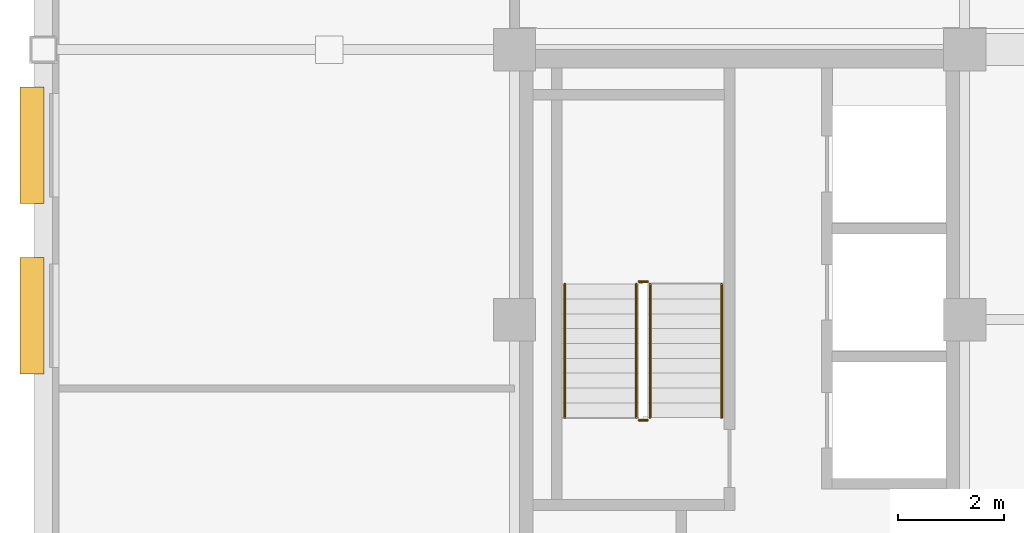
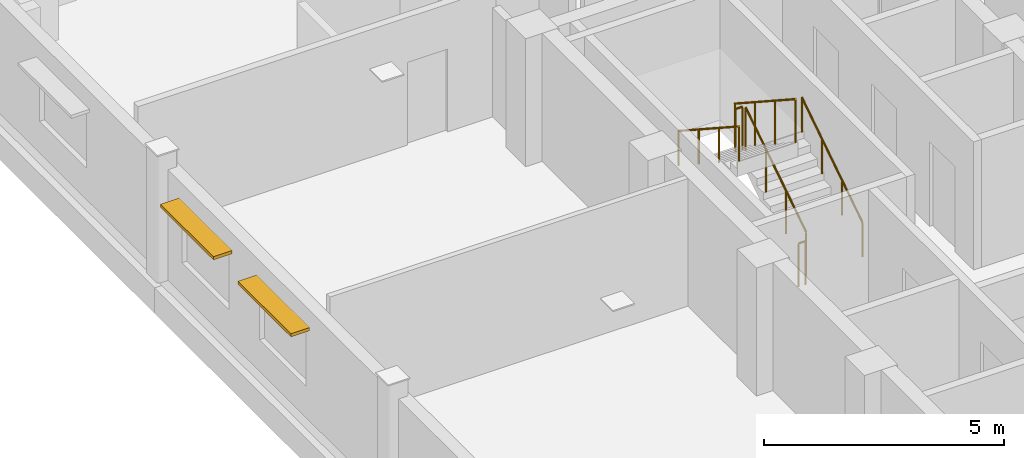
# One storey, part 11 of 14: 6 railings, 2 shading devices.
"""IFC4 building model written with IfcOpenShell, lengths in metres."""

from ifc_helpers import new_model, si_unit, direction, frame, origin, origin_2d, place, context, subcontext, project, spatial, rectangle, circle, extrude, source, transform, mapped, material, type_object, type_shapes, element, save


model = new_model("IFC4")

# Units and contexts
model_context = context("Model", 3, precision=1e-05, world=origin(), true_north=direction((0.0, 1.0)))
body_context = subcontext(model_context, "Body", "Model", "MODEL_VIEW")
ifc_project = project(units=[si_unit("LENGTHUNIT", "METRE"), si_unit("AREAUNIT", "SQUARE_METRE"), si_unit("VOLUMEUNIT", "CUBIC_METRE"), si_unit("PLANEANGLEUNIT", "RADIAN"), si_unit("MASSUNIT", "GRAM", prefix="KILO")], contexts=[model_context])

# Site, building, storey
site_placement = place(None, origin())
site = spatial("IfcSite", under=ifc_project, at=site_placement, CompositionType="ELEMENT")
building_placement = place(site_placement, origin())
building = spatial("IfcBuilding", under=site, at=building_placement, Name="Nuvemarco Arch Tower", CompositionType="ELEMENT")
storey_placement = place(building_placement, frame((0.0, 0.0, 242.0)))
storey = spatial("IfcBuildingStorey", under=building, at=storey_placement, Name="L64", CompositionType="ELEMENT", Elevation=242.0)

# Railings
ifc_material_1 = material(Name="Brushed stainless steel handrail", Category="steel")
railing_type_1 = type_object("IfcRailingType", Name="RL-HANDRAIL-900", PredefinedType="HANDRAIL", material=ifc_material_1)
railing_1_placement = place(storey_placement, frame((-13.590087890625, 2.64990234375, 0.1826171875)))
element("IfcRailing", 1, at=railing_1_placement, inside=storey, type_object=railing_type_1, Name="L64 ST-1 stair handrail 1", PredefinedType="HANDRAIL", context=body_context, shape_type="SweptSolid", body=[
    extrude(circle(Radius=0.02392578125, at=origin_2d()), frame((0.0, 0.0, 0.8759765625), z_axis=(0.0, 0.837786554691, 0.545997883492), x_axis=(-1.0, 0.0, 0.0)), (0.0, 0.0, 1.0), 3.008056640625),
    extrude(circle(Radius=0.02099609375, at=origin_2d()), origin(), (0.0, 0.0, 1.0), 0.851806640625),
    extrude(circle(Radius=0.02099609375, at=origin_2d()), frame((0.0, 0.840087890625, 0.54736328125)), (0.0, 0.0, 1.0), 0.851806640625),
    extrude(circle(Radius=0.02099609375, at=origin_2d()), frame((0.0, 1.679931640625, 1.094970703125)), (0.0, 0.0, 1.0), 0.851806640625),
    extrude(circle(Radius=0.02099609375, at=origin_2d()), frame((0.0, 2.52001953125, 1.642333984375)), (0.0, 0.0, 1.0), 0.851806640625),
])
railing_2_placement = place(storey_placement, frame((-16.550048828125, 5.169921875, 2.007568359375)))
element("IfcRailing", 2, at=railing_2_placement, inside=storey, type_object=railing_type_1, Name="L64 ST-1 stair handrail 2", PredefinedType="HANDRAIL", context=body_context, shape_type="SweptSolid", body=[
    extrude(circle(Radius=0.02392578125, at=origin_2d()), frame((0.0, 0.0, 0.8759765625), z_axis=(0.0, -0.837786554691, 0.545997883492), x_axis=(1.0, 0.0, 0.0)), (0.0, 0.0, 1.0), 3.008056640625),
    extrude(circle(Radius=0.02099609375, at=origin_2d()), origin(), (0.0, 0.0, 1.0), 0.851806640625),
    extrude(circle(Radius=0.02099609375, at=origin_2d()), frame((0.0, -0.840087890625, 0.54736328125)), (0.0, 0.0, 1.0), 0.851806640625),
    extrude(circle(Radius=0.02099609375, at=origin_2d()), frame((0.0, -1.679931640625, 1.094970703125)), (0.0, 0.0, 1.0), 0.851806640625),
    extrude(circle(Radius=0.02099609375, at=origin_2d()), frame((0.0, -2.52001953125, 1.642333984375)), (0.0, 0.0, 1.0), 0.851806640625),
])
ifc_material_2 = material(Name="Painted balustrade steel S355", Category="steel")
railing_type_2 = type_object("IfcRailingType", Name="RL-STAIR-GUARD", PredefinedType="GUARDRAIL", material=ifc_material_2)
railing_3_placement = place(storey_placement, frame((-14.93994140625, 2.64990234375, 0.1826171875)))
element("IfcRailing", 3, at=railing_3_placement, inside=storey, type_object=railing_type_2, Name="L64 ST-1 stair guard 1", PredefinedType="GUARDRAIL", context=body_context, shape_type="SweptSolid", body=[
    extrude(circle(Radius=0.02392578125, at=origin_2d()), frame((0.0, 0.0, 1.09619140625), z_axis=(0.0, 0.837786554691, 0.545997883492), x_axis=(-1.0, 0.0, 0.0)), (0.0, 0.0, 1.0), 3.008056640625),
    extrude(circle(Radius=0.02099609375, at=origin_2d()), origin(), (0.0, 0.0, 1.0), 1.072021484375),
    extrude(circle(Radius=0.02099609375, at=origin_2d()), frame((0.0, 0.840087890625, 0.54736328125)), (0.0, 0.0, 1.0), 1.072021484375),
    extrude(circle(Radius=0.02099609375, at=origin_2d()), frame((0.0, 1.679931640625, 1.094970703125)), (0.0, 0.0, 1.0), 1.072021484375),
    extrude(circle(Radius=0.02099609375, at=origin_2d()), frame((0.0, 2.52001953125, 1.642333984375)), (0.0, 0.0, 1.0), 1.072021484375),
])
railing_4_placement = place(storey_placement, frame((-14.989990234375, 5.219970703125, 1.824951171875)))
element("IfcRailing", 4, at=railing_4_placement, inside=storey, type_object=railing_type_2, Name="L64 ST-1 stair guard 2", PredefinedType="GUARDRAIL", context=body_context, shape_type="SweptSolid", body=[
    extrude(circle(Radius=0.02392578125, at=origin_2d()), frame((0.0, 0.0, 1.09619140625), z_axis=(-1.0, 0.0, 0.0), x_axis=(0.0, -1.0, 0.0)), (0.0, 0.0, 1.0), 0.159912109375),
    extrude(circle(Radius=0.02099609375, at=origin_2d()), origin(), (0.0, 0.0, 1.0), 1.072021484375),
    extrude(circle(Radius=0.02099609375, at=origin_2d()), frame((-0.159912109375, 0.0, 0.0)), (0.0, 0.0, 1.0), 1.072021484375),
])
railing_5_placement = place(storey_placement, frame((-15.199951171875, 5.169921875, 2.007568359375)))
element("IfcRailing", 5, at=railing_5_placement, inside=storey, type_object=railing_type_2, Name="L64 ST-1 stair guard 3", PredefinedType="GUARDRAIL", context=body_context, shape_type="SweptSolid", body=[
    extrude(circle(Radius=0.02392578125, at=origin_2d()), frame((0.0, 0.0, 1.09619140625), z_axis=(0.0, -0.837786554691, 0.545997883492), x_axis=(1.0, 0.0, 0.0)), (0.0, 0.0, 1.0), 3.008056640625),
    extrude(circle(Radius=0.02099609375, at=origin_2d()), origin(), (0.0, 0.0, 1.0), 1.072021484375),
    extrude(circle(Radius=0.02099609375, at=origin_2d()), frame((0.0, -0.840087890625, 0.54736328125)), (0.0, 0.0, 1.0), 1.072021484375),
    extrude(circle(Radius=0.02099609375, at=origin_2d()), frame((0.0, -1.679931640625, 1.094970703125)), (0.0, 0.0, 1.0), 1.072021484375),
    extrude(circle(Radius=0.02099609375, at=origin_2d()), frame((0.0, -2.52001953125, 1.642333984375)), (0.0, 0.0, 1.0), 1.072021484375),
])
railing_6_placement = place(storey_placement, frame((-14.989990234375, 2.60009765625, 0.0)))
element("IfcRailing", 6, at=railing_6_placement, inside=storey, type_object=railing_type_2, Name="L64 ST-1 stair guard 4", PredefinedType="GUARDRAIL", context=body_context, shape_type="SweptSolid", body=[
    extrude(circle(Radius=0.02392578125, at=origin_2d()), frame((0.0, 0.0, 1.09619140625), z_axis=(-1.0, 0.0, 0.0), x_axis=(0.0, -1.0, 0.0)), (0.0, 0.0, 1.0), 0.159912109375),
    extrude(circle(Radius=0.02099609375, at=origin_2d()), origin(), (0.0, 0.0, 1.0), 1.072021484375),
    extrude(circle(Radius=0.02099609375, at=origin_2d()), frame((-0.159912109375, 0.0, 0.0)), (0.0, 0.0, 1.0), 1.072021484375),
])

# Shading devices
ifc_material_3 = material(Name="Anodised aluminium 6063-T6", Category="aluminium")
shading_device_type = type_object("IfcShadingDeviceType", Name="SHD-BRISE-SOLEIL", PredefinedType="USERDEFINED", material=ifc_material_3)
shared_shape = source(origin(), body_context, "Body", "SweptSolid", [
    extrude(rectangle(XDim=2.199951171875, YDim=0.449951171875, at=origin_2d()), origin(), (0.0, 0.0, 1.0), 0.080078125),
])
type_shapes(shading_device_type, [shared_shape])
for number, where, z_axis, x_axis, name in (
    (7, (-26.614990234375, 4.572509765625, 2.284912109375), (0.0, 0.0, 1.0), (0.0, 1.0, 0.0), "L64 horizontal brise-soleil sunshade"),
    (8, (-26.614990234375, 7.795166015625, 2.284912109375), (0.0, 0.0, 1.0), (0.0, 1.0, 0.0), "L64 horizontal brise-soleil sunshade"),
):
    element("IfcShadingDevice", number, at=place(storey_placement, frame(where, z_axis=z_axis, x_axis=x_axis)), inside=storey, type_object=shading_device_type, Name=name, ObjectType="SUNSHADE", PredefinedType="USERDEFINED", context=body_context, shape_type="MappedRepresentation", body=[
        mapped(shared_shape, transform((0.0, 0.0, 0.0), scale=1.0)),
    ])

save(model, "model.ifc")
